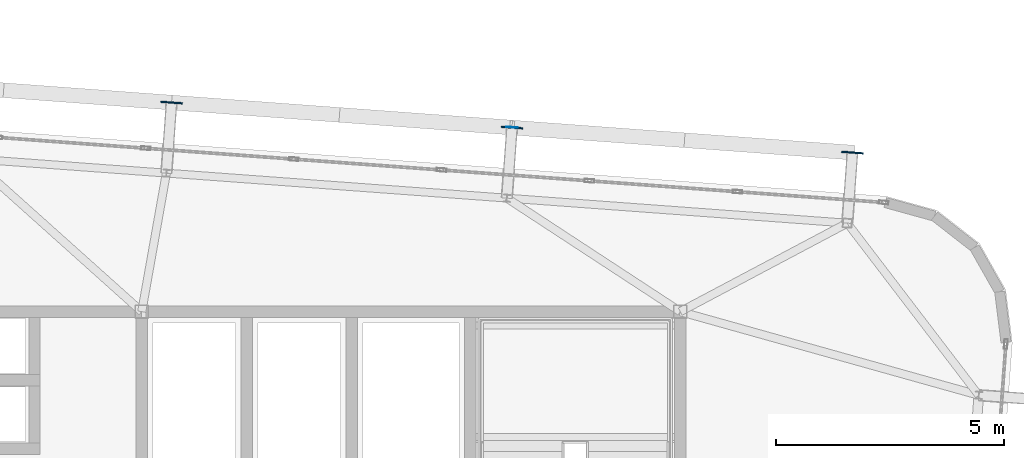
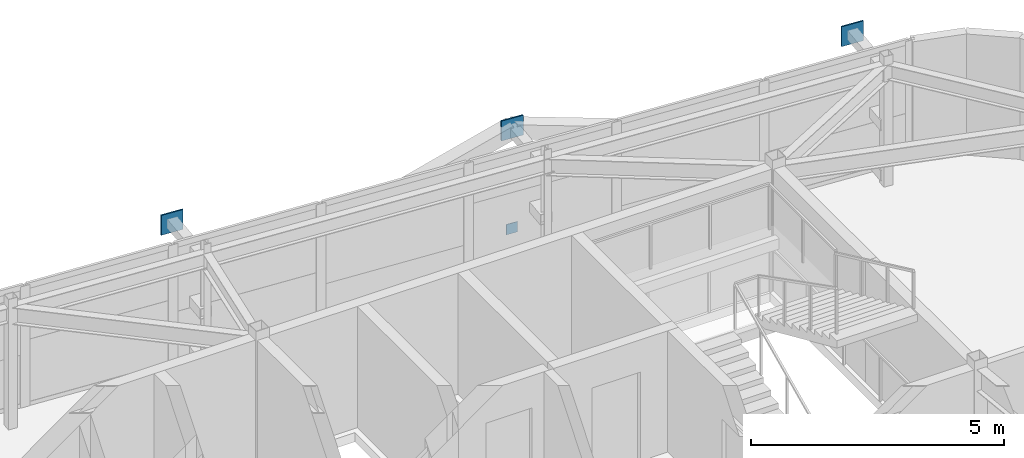
# One storey, part 37 of 42: 4 plates.
"""IFC4 building model written with IfcOpenShell, lengths in metres."""

from ifc_helpers import new_model, si_unit, direction, frame, origin, origin_2d, place, context, subcontext, project, spatial, rectangle, extrude, source, transform, mapped, material, layer, layer_set, type_object, element, save


model = new_model("IFC4")

# Units and contexts
model_context = context("Model", 3, precision=1e-05, world=origin(), true_north=direction((0.0, 1.0)))
body_context = subcontext(model_context, "Body", "Model", "MODEL_VIEW")
ifc_project = project(units=[si_unit("LENGTHUNIT", "METRE"), si_unit("AREAUNIT", "SQUARE_METRE"), si_unit("VOLUMEUNIT", "CUBIC_METRE"), si_unit("PLANEANGLEUNIT", "RADIAN"), si_unit("MASSUNIT", "GRAM", prefix="KILO")], contexts=[model_context])

# Site, building, storey
site_placement = place(None, origin())
site = spatial("IfcSite", under=ifc_project, at=site_placement, CompositionType="ELEMENT")
building_placement = place(site_placement, origin())
building = spatial("IfcBuilding", under=site, at=building_placement, Name="Taldren Reach Tower", CompositionType="ELEMENT")
storey_placement = place(building_placement, frame((0.0, 0.0, 220.85009765625)))
storey = spatial("IfcBuildingStorey", under=building, at=storey_placement, Name="L67", CompositionType="ELEMENT", Elevation=220.85009765625)

# Plates
ifc_material_1 = material(Name="Steel Gr 350 (C350L0)", Category="steel")
ifc_layer_1 = layer(ifc_material_1, 0.011962890625)
ifc_layer_set_1 = layer_set([ifc_layer_1], Name="Steel Gr 350 (C350L0)")
plate_type_1 = type_object("IfcPlateType", Name="PL-CAP-250", PredefinedType="SHEET", material=ifc_layer_set_1)
shared_shape_1 = source(origin(), body_context, "Body", "SweptSolid", [
    extrude(rectangle(XDim=0.25, YDim=0.011962890625, at=origin_2d()), origin(), (0.0, 0.0, 1.0), 0.25),
])
plate_placement = place(storey_placement, frame((47.3134765625, 36.039306640625, 0.094970703125), z_axis=(0.0, 0.0, 1.0), x_axis=(0.997314477224, -0.073238197128, 0.0)))
element("IfcPlate", 1, at=plate_placement, inside=storey, type_object=plate_type_1, Name="Tie strut end cap plate B5-N5 L67", PredefinedType="SHEET", context=body_context, shape_type="MappedRepresentation", body=[
    mapped(shared_shape_1, transform((0.0, 0.0, 0.0), scale=1.0)),
])
ifc_material_2 = material(Name="Steel Gr 450 (C450L0)", Category="steel")
ifc_layer_2 = layer(ifc_material_2, 0.031982421875)
ifc_layer_set_2 = layer_set([ifc_layer_2], Name="Steel Gr 450 (C450L0)")
plate_type_2 = type_object("IfcPlateType", Name="PL-GUSSET-32", PredefinedType="SHEET", material=ifc_layer_set_2)
shared_shape_2 = source(origin(), body_context, "Body", "SweptSolid", [
    extrude(rectangle(XDim=0.47998046875, YDim=0.031982421875, at=origin_2d()), origin(), (0.0, 0.0, 1.0), 0.47998046875),
])
for number, where, z_axis, x_axis, name in (
    (2, (39.85302734375, 36.581298828125, 2.409912109375), (0.0, 0.0, 1.0), (0.997314477224, -0.073238197128, 0.0), "Exoskeleton star-node gusset plate B5-N4 L67"),
    (3, (47.31298828125, 36.033447265625, 2.409912109375), (0.0, 0.0, 1.0), (0.997314477224, -0.073238197128, 0.0), "Exoskeleton star-node gusset plate B5-N5 L67"),
    (4, (54.77294921875, 35.485595703125, 2.409912109375), (0.0, 0.0, 1.0), (0.997314477224, -0.073238197128, 0.0), "Exoskeleton star-node gusset plate B5-N6 L67"),
):
    element("IfcPlate", number, at=place(storey_placement, frame(where, z_axis=z_axis, x_axis=x_axis)), inside=storey, type_object=plate_type_2, Name=name, PredefinedType="SHEET", context=body_context, shape_type="MappedRepresentation", body=[
        mapped(shared_shape_2, transform((0.0, 0.0, 0.0), scale=1.0)),
    ])

save(model, "model.ifc")
